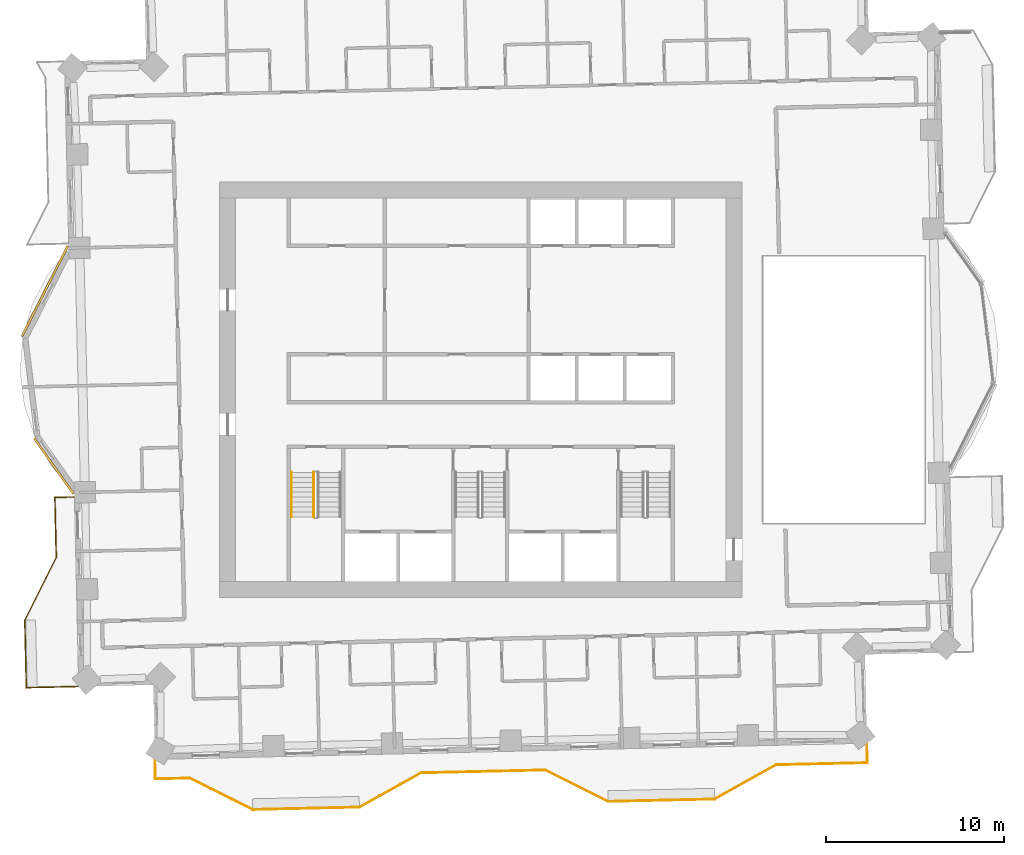
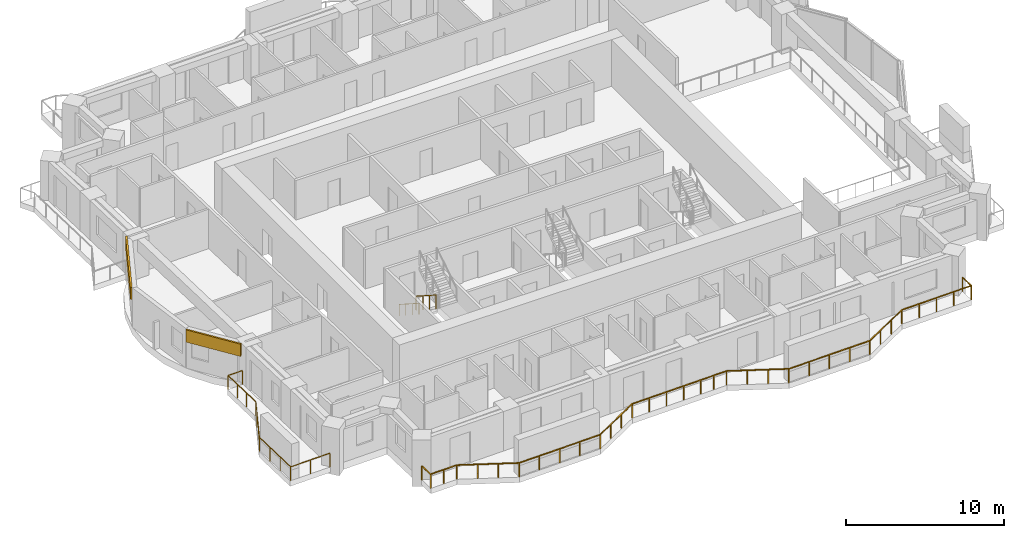
# One storey, part 13 of 16: 4 railings, 2 coverings.
"""IFC4 building model written with IfcOpenShell, lengths in metres."""

from ifc_helpers import new_model, si_unit, direction, frame, frame_2d, origin, origin_2d, place, context, subcontext, project, spatial, rectangle, circle, extrude, material, layer, layer_set, type_object, element, save


model = new_model("IFC4")

# Units and contexts
model_context = context("Model", 3, precision=1e-05, world=origin(), true_north=direction((0.0, 1.0)))
body_context = subcontext(model_context, "Body", "Model", "MODEL_VIEW")
ifc_project = project(units=[si_unit("LENGTHUNIT", "METRE"), si_unit("AREAUNIT", "SQUARE_METRE"), si_unit("VOLUMEUNIT", "CUBIC_METRE"), si_unit("PLANEANGLEUNIT", "RADIAN"), si_unit("MASSUNIT", "GRAM", prefix="KILO")], contexts=[model_context])

# Site, building, storey
site_placement = place(None, origin())
site = spatial("IfcSite", under=ifc_project, at=site_placement, CompositionType="ELEMENT")
building_placement = place(site_placement, origin())
building = spatial("IfcBuilding", under=site, at=building_placement, Name="Mangrove Gate Tower", CompositionType="ELEMENT")
storey_placement = place(building_placement, frame((0.0, 0.0, 178.89990234375)))
storey = spatial("IfcBuildingStorey", under=building, at=storey_placement, Name="L45", CompositionType="ELEMENT", Elevation=178.89990234375)

# Railings
ifc_material_1 = material(Name="Stainless steel grade 316 with laminated glass infill", Category="steel")
railing_type_1 = type_object("IfcRailingType", Name="Balcony guard 1100", PredefinedType="GUARDRAIL", material=ifc_material_1)
railing_1_placement = place(storey_placement, frame((-22.912109375, -6.033935546875, 0.0)))
element("IfcRailing", 1, at=railing_1_placement, inside=storey, type_object=railing_type_1, Name="GUARD L45 W2", PredefinedType="GUARDRAIL", context=body_context, shape_type="SweptSolid", body=[
    extrude(rectangle(XDim=0.048095703125, YDim=0.048095703125, at=origin_2d()), frame((0.0, 0.0, 1.076171875), z_axis=(-0.999765634628, -0.021648921828, 0.0), x_axis=(0.021648921828, -0.999765634628, 0.0)), (0.0, 0.0, 1.0), 1.06005859375),
    extrude(rectangle(XDim=0.048095703125, YDim=0.048095703125, at=origin_2d()), frame((-1.059814453125, -0.02294921875, 1.076171875), z_axis=(0.02278713509, -0.999740339525, 0.0), x_axis=(0.999740339525, 0.02278713509, 0.0)), (0.0, 0.0, 1.0), 3.375),
    extrude(rectangle(XDim=0.048095703125, YDim=0.048095703125, at=origin_2d()), frame((-0.98291015625, -3.39697265625, 1.076171875), z_axis=(-0.447114919141, -0.894476522376, 0.0), x_axis=(0.894476522376, -0.447114919141, 0.0)), (0.0, 0.0, 1.0), 3.958740234375),
    extrude(rectangle(XDim=0.048095703125, YDim=0.048095703125, at=origin_2d()), frame((-2.7529296875, -6.93798828125, 1.076171875), z_axis=(0.022614868993, -0.999744251146, 0.0), x_axis=(0.999744251146, 0.022614868993, 0.0)), (0.0, 0.0, 1.0), 3.800048828125),
    extrude(rectangle(XDim=0.048095703125, YDim=0.048095703125, at=origin_2d()), frame((-2.6669921875, -10.737060546875, 1.076171875), z_axis=(0.999743392495, 0.022652795902, 0.0), x_axis=(-0.022652795902, 0.999743392495, 0.0)), (0.0, 0.0, 1.0), 2.909912109375),
    extrude(rectangle(XDim=0.0419921875, YDim=0.0419921875, at=origin_2d()), origin(), (0.0, 0.0, 1.0), 1.052001953125),
    extrude(rectangle(XDim=0.0419921875, YDim=0.0419921875, at=origin_2d()), frame((-1.059814453125, -0.02294921875, 0.0)), (0.0, 0.0, 1.0), 1.052001953125),
    extrude(rectangle(XDim=0.0419921875, YDim=0.0419921875, at=origin_2d()), frame((-1.0341796875, -1.147705078125, 0.0)), (0.0, 0.0, 1.0), 1.052001953125),
    extrude(rectangle(XDim=0.0419921875, YDim=0.0419921875, at=origin_2d()), frame((-1.008544921875, -2.272216796875, 0.0)), (0.0, 0.0, 1.0), 1.052001953125),
    extrude(rectangle(XDim=0.0419921875, YDim=0.0419921875, at=origin_2d()), frame((-0.98291015625, -3.39697265625, 0.0)), (0.0, 0.0, 1.0), 1.052001953125),
    extrude(rectangle(XDim=0.0419921875, YDim=0.0419921875, at=origin_2d()), frame((-1.572998046875, -4.577392578125, 0.0)), (0.0, 0.0, 1.0), 1.052001953125),
    extrude(rectangle(XDim=0.0419921875, YDim=0.0419921875, at=origin_2d()), frame((-2.162841796875, -5.757568359375, 0.0)), (0.0, 0.0, 1.0), 1.052001953125),
    extrude(rectangle(XDim=0.0419921875, YDim=0.0419921875, at=origin_2d()), frame((-2.7529296875, -6.93798828125, 0.0)), (0.0, 0.0, 1.0), 1.052001953125),
    extrude(rectangle(XDim=0.0419921875, YDim=0.0419921875, at=origin_2d()), frame((-2.724365234375, -8.204345703125, 0.0)), (0.0, 0.0, 1.0), 1.052001953125),
    extrude(rectangle(XDim=0.0419921875, YDim=0.0419921875, at=origin_2d()), frame((-2.695556640625, -9.470703125, 0.0)), (0.0, 0.0, 1.0), 1.052001953125),
    extrude(rectangle(XDim=0.0419921875, YDim=0.0419921875, at=origin_2d()), frame((-2.6669921875, -10.737060546875, 0.0)), (0.0, 0.0, 1.0), 1.052001953125),
    extrude(rectangle(XDim=0.0419921875, YDim=0.0419921875, at=origin_2d()), frame((-1.21240234375, -10.7041015625, 0.0)), (0.0, 0.0, 1.0), 1.052001953125),
    extrude(rectangle(XDim=0.0419921875, YDim=0.0419921875, at=origin_2d()), frame((0.2421875, -10.671142578125, 0.0)), (0.0, 0.0, 1.0), 1.052001953125),
])
railing_2_placement = place(storey_placement, frame((-18.3349609375, -20.847900390625, 0.0)))
element("IfcRailing", 2, at=railing_2_placement, inside=storey, type_object=railing_type_1, Name="GUARD L45 S1", PredefinedType="GUARDRAIL", context=body_context, shape_type="SweptSolid", body=[
    extrude(rectangle(XDim=0.048095703125, YDim=0.048095703125, at=origin_2d()), frame((0.0, 0.0, 1.076171875), z_axis=(0.022564497502, -0.999745389313, 0.0), x_axis=(0.999745389313, 0.022564497502, 0.0)), (0.0, 0.0, 1.0), 1.060302734375),
    extrude(rectangle(XDim=0.048095703125, YDim=0.048095703125, at=origin_2d()), frame((0.02392578125, -1.06005859375, 1.076171875), z_axis=(0.999743521605, 0.022647097142, 0.0), x_axis=(-0.022647097142, 0.999743521605, 0.0)), (0.0, 0.0, 1.0), 1.9404296875),
    extrude(rectangle(XDim=0.048095703125, YDim=0.048095703125, at=origin_2d()), frame((1.9638671875, -1.01611328125, 1.076171875), z_axis=(0.894476522376, -0.447114919141, 0.0), x_axis=(0.447114919141, 0.894476522376, 0.0)), (0.0, 0.0, 1.0), 3.958740234375),
    extrude(rectangle(XDim=0.048095703125, YDim=0.048095703125, at=origin_2d()), frame((5.5048828125, -2.7861328125, 1.076171875), z_axis=(0.999743094499, 0.022665943652, 0.0), x_axis=(-0.022665943652, 0.999743094499, 0.0)), (0.0, 0.0, 1.0), 5.99951171875),
    extrude(rectangle(XDim=0.048095703125, YDim=0.048095703125, at=origin_2d()), frame((11.5029296875, -2.650146484375, 1.076171875), z_axis=(0.87325689943, 0.48726008209, 0.0), x_axis=(-0.48726008209, 0.87325689943, 0.0)), (0.0, 0.0, 1.0), 3.958740234375),
    extrude(rectangle(XDim=0.048095703125, YDim=0.048095703125, at=origin_2d()), frame((14.9599609375, -0.72119140625, 1.076171875), z_axis=(0.999740400278, 0.022784469527, 0.0), x_axis=(-0.022784469527, 0.999740400278, 0.0)), (0.0, 0.0, 1.0), 5.100341796875),
    extrude(rectangle(XDim=0.048095703125, YDim=0.048095703125, at=origin_2d()), frame((20.05908203125, -0.60498046875, 1.076171875), z_axis=(0.999744349692, 0.022610512149, 0.0), x_axis=(-0.022610512149, 0.999744349692, 0.0)), (0.0, 0.0, 1.0), 1.900390625),
    extrude(rectangle(XDim=0.048095703125, YDim=0.048095703125, at=origin_2d()), frame((21.958984375, -0.56201171875, 1.076171875), z_axis=(0.894476522376, -0.447114919141, 0.0), x_axis=(0.447114919141, 0.894476522376, 0.0)), (0.0, 0.0, 1.0), 3.958740234375),
    extrude(rectangle(XDim=0.048095703125, YDim=0.048095703125, at=origin_2d()), frame((25.5, -2.33203125, 1.076171875), z_axis=(0.999743094499, 0.022665943652, 0.0), x_axis=(-0.022665943652, 0.999743094499, 0.0)), (0.0, 0.0, 1.0), 5.99951171875),
    extrude(rectangle(XDim=0.048095703125, YDim=0.048095703125, at=origin_2d()), frame((31.498046875, -2.196044921875, 1.076171875), z_axis=(0.87325689943, 0.48726008209, 0.0), x_axis=(-0.48726008209, 0.87325689943, 0.0)), (0.0, 0.0, 1.0), 3.958740234375),
    extrude(rectangle(XDim=0.048095703125, YDim=0.048095703125, at=origin_2d()), frame((34.955078125, -0.26708984375, 1.076171875), z_axis=(0.999741173071, 0.022750535508, 0.0), x_axis=(-0.022750535508, 0.999741173071, 0.0)), (0.0, 0.0, 1.0), 5.14013671875),
    extrude(rectangle(XDim=0.048095703125, YDim=0.048095703125, at=origin_2d()), frame((40.093994140625, -0.150146484375, 1.076171875), z_axis=(-0.022585293253, 0.999744919731, 0.0), x_axis=(-0.999744919731, -0.022585293253, 0.0)), (0.0, 0.0, 1.0), 1.059326171875),
    extrude(rectangle(XDim=0.0419921875, YDim=0.0419921875, at=origin_2d()), origin(), (0.0, 0.0, 1.0), 1.052001953125),
    extrude(rectangle(XDim=0.0419921875, YDim=0.0419921875, at=origin_2d()), frame((0.02392578125, -1.06005859375, 0.0)), (0.0, 0.0, 1.0), 1.052001953125),
    extrude(rectangle(XDim=0.0419921875, YDim=0.0419921875, at=origin_2d()), frame((0.993896484375, -1.0380859375, 0.0)), (0.0, 0.0, 1.0), 1.052001953125),
    extrude(rectangle(XDim=0.0419921875, YDim=0.0419921875, at=origin_2d()), frame((1.9638671875, -1.01611328125, 0.0)), (0.0, 0.0, 1.0), 1.052001953125),
    extrude(rectangle(XDim=0.0419921875, YDim=0.0419921875, at=origin_2d()), frame((3.144287109375, -1.606201171875, 0.0)), (0.0, 0.0, 1.0), 1.052001953125),
    extrude(rectangle(XDim=0.0419921875, YDim=0.0419921875, at=origin_2d()), frame((4.324462890625, -2.196044921875, 0.0)), (0.0, 0.0, 1.0), 1.052001953125),
    extrude(rectangle(XDim=0.0419921875, YDim=0.0419921875, at=origin_2d()), frame((5.5048828125, -2.7861328125, 0.0)), (0.0, 0.0, 1.0), 1.052001953125),
    extrude(rectangle(XDim=0.0419921875, YDim=0.0419921875, at=origin_2d()), frame((7.00439453125, -2.752197265625, 0.0)), (0.0, 0.0, 1.0), 1.052001953125),
    extrude(rectangle(XDim=0.0419921875, YDim=0.0419921875, at=origin_2d()), frame((8.50390625, -2.71826171875, 0.0)), (0.0, 0.0, 1.0), 1.052001953125),
    extrude(rectangle(XDim=0.0419921875, YDim=0.0419921875, at=origin_2d()), frame((10.00341796875, -2.68408203125, 0.0)), (0.0, 0.0, 1.0), 1.052001953125),
    extrude(rectangle(XDim=0.0419921875, YDim=0.0419921875, at=origin_2d()), frame((11.5029296875, -2.650146484375, 0.0)), (0.0, 0.0, 1.0), 1.052001953125),
    extrude(rectangle(XDim=0.0419921875, YDim=0.0419921875, at=origin_2d()), frame((12.6552734375, -2.007080078125, 0.0)), (0.0, 0.0, 1.0), 1.052001953125),
    extrude(rectangle(XDim=0.0419921875, YDim=0.0419921875, at=origin_2d()), frame((13.8076171875, -1.3642578125, 0.0)), (0.0, 0.0, 1.0), 1.052001953125),
    extrude(rectangle(XDim=0.0419921875, YDim=0.0419921875, at=origin_2d()), frame((14.9599609375, -0.72119140625, 0.0)), (0.0, 0.0, 1.0), 1.052001953125),
    extrude(rectangle(XDim=0.0419921875, YDim=0.0419921875, at=origin_2d()), frame((16.23486328125, -0.692138671875, 0.0)), (0.0, 0.0, 1.0), 1.052001953125),
    extrude(rectangle(XDim=0.0419921875, YDim=0.0419921875, at=origin_2d()), frame((17.509521484375, -0.6630859375, 0.0)), (0.0, 0.0, 1.0), 1.052001953125),
    extrude(rectangle(XDim=0.0419921875, YDim=0.0419921875, at=origin_2d()), frame((18.7841796875, -0.634033203125, 0.0)), (0.0, 0.0, 1.0), 1.052001953125),
    extrude(rectangle(XDim=0.0419921875, YDim=0.0419921875, at=origin_2d()), frame((20.05908203125, -0.60498046875, 0.0)), (0.0, 0.0, 1.0), 1.052001953125),
    extrude(rectangle(XDim=0.0419921875, YDim=0.0419921875, at=origin_2d()), frame((21.009033203125, -0.58349609375, 0.0)), (0.0, 0.0, 1.0), 1.052001953125),
    extrude(rectangle(XDim=0.0419921875, YDim=0.0419921875, at=origin_2d()), frame((21.958984375, -0.56201171875, 0.0)), (0.0, 0.0, 1.0), 1.052001953125),
    extrude(rectangle(XDim=0.0419921875, YDim=0.0419921875, at=origin_2d()), frame((23.139404296875, -1.152099609375, 0.0)), (0.0, 0.0, 1.0), 1.052001953125),
    extrude(rectangle(XDim=0.0419921875, YDim=0.0419921875, at=origin_2d()), frame((24.319580078125, -1.741943359375, 0.0)), (0.0, 0.0, 1.0), 1.052001953125),
    extrude(rectangle(XDim=0.0419921875, YDim=0.0419921875, at=origin_2d()), frame((25.5, -2.33203125, 0.0)), (0.0, 0.0, 1.0), 1.052001953125),
    extrude(rectangle(XDim=0.0419921875, YDim=0.0419921875, at=origin_2d()), frame((26.99951171875, -2.298095703125, 0.0)), (0.0, 0.0, 1.0), 1.052001953125),
    extrude(rectangle(XDim=0.0419921875, YDim=0.0419921875, at=origin_2d()), frame((28.4990234375, -2.26416015625, 0.0)), (0.0, 0.0, 1.0), 1.052001953125),
    extrude(rectangle(XDim=0.0419921875, YDim=0.0419921875, at=origin_2d()), frame((29.99853515625, -2.22998046875, 0.0)), (0.0, 0.0, 1.0), 1.052001953125),
    extrude(rectangle(XDim=0.0419921875, YDim=0.0419921875, at=origin_2d()), frame((31.498046875, -2.196044921875, 0.0)), (0.0, 0.0, 1.0), 1.052001953125),
    extrude(rectangle(XDim=0.0419921875, YDim=0.0419921875, at=origin_2d()), frame((32.650390625, -1.552978515625, 0.0)), (0.0, 0.0, 1.0), 1.052001953125),
    extrude(rectangle(XDim=0.0419921875, YDim=0.0419921875, at=origin_2d()), frame((33.802734375, -0.91015625, 0.0)), (0.0, 0.0, 1.0), 1.052001953125),
    extrude(rectangle(XDim=0.0419921875, YDim=0.0419921875, at=origin_2d()), frame((34.955078125, -0.26708984375, 0.0)), (0.0, 0.0, 1.0), 1.052001953125),
    extrude(rectangle(XDim=0.0419921875, YDim=0.0419921875, at=origin_2d()), frame((36.23974609375, -0.23779296875, 0.0)), (0.0, 0.0, 1.0), 1.052001953125),
    extrude(rectangle(XDim=0.0419921875, YDim=0.0419921875, at=origin_2d()), frame((37.5244140625, -0.20849609375, 0.0)), (0.0, 0.0, 1.0), 1.052001953125),
    extrude(rectangle(XDim=0.0419921875, YDim=0.0419921875, at=origin_2d()), frame((38.809326171875, -0.179443359375, 0.0)), (0.0, 0.0, 1.0), 1.052001953125),
    extrude(rectangle(XDim=0.0419921875, YDim=0.0419921875, at=origin_2d()), frame((40.093994140625, -0.150146484375, 0.0)), (0.0, 0.0, 1.0), 1.052001953125),
    extrude(rectangle(XDim=0.0419921875, YDim=0.0419921875, at=origin_2d()), frame((40.070068359375, 0.908935546875, 0.0)), (0.0, 0.0, 1.0), 1.052001953125),
])
ifc_material_2 = material(Name="Stainless steel 316", Category="steel")
railing_type_2 = type_object("IfcRailingType", Name="Core stair guard 1100", PredefinedType="GUARDRAIL", material=ifc_material_2)
railing_3_placement = place(storey_placement, frame((-9.39990234375, -4.64990234375, 0.18017578125)))
element("IfcRailing", 3, at=railing_3_placement, inside=storey, type_object=railing_type_2, Name="L45 ST1 stair guard 1", PredefinedType="GUARDRAIL", context=body_context, shape_type="SweptSolid", body=[
    extrude(rectangle(XDim=0.048095703125, YDim=0.048095703125, at=origin_2d()), frame((0.0, 0.0, 1.076171875), z_axis=(0.0, -0.841199657755, 0.540724639528), x_axis=(1.0, 0.0, 0.0)), (0.0, 0.0, 1.0), 2.995849609375),
    extrude(rectangle(XDim=0.0419921875, YDim=0.0419921875, at=origin_2d()), origin(), (0.0, 0.0, 1.0), 1.052001953125),
    extrude(rectangle(XDim=0.0419921875, YDim=0.0419921875, at=origin_2d()), frame((0.0, -0.840087890625, 0.5400390625)), (0.0, 0.0, 1.0), 1.052001953125),
    extrude(rectangle(XDim=0.0419921875, YDim=0.0419921875, at=origin_2d()), frame((0.0, -1.679931640625, 1.079833984375)), (0.0, 0.0, 1.0), 1.052001953125),
    extrude(rectangle(XDim=0.0419921875, YDim=0.0419921875, at=origin_2d()), frame((0.0, -2.52001953125, 1.619873046875)), (0.0, 0.0, 1.0), 1.052001953125),
])
ifc_material_3 = material(Name="Stainless steel 316", Category="steel")
railing_type_3 = type_object("IfcRailingType", Name="Core stair handrail 900", PredefinedType="HANDRAIL", material=ifc_material_3)
railing_4_placement = place(storey_placement, frame((-10.64990234375, -4.64990234375, 0.18017578125)))
element("IfcRailing", 4, at=railing_4_placement, inside=storey, type_object=railing_type_3, Name="L45 ST1 stair handrail 1", PredefinedType="HANDRAIL", context=body_context, shape_type="SweptSolid", body=[
    extrude(circle(Radius=0.02392578125, at=origin_2d()), frame((0.0, 0.0, 0.8759765625), z_axis=(0.0, -0.841199657755, 0.540724639528), x_axis=(1.0, 0.0, 0.0)), (0.0, 0.0, 1.0), 2.995849609375),
    extrude(circle(Radius=0.02099609375, at=origin_2d()), origin(), (0.0, 0.0, 1.0), 0.851806640625),
    extrude(circle(Radius=0.02099609375, at=origin_2d()), frame((0.0, -0.840087890625, 0.5400390625)), (0.0, 0.0, 1.0), 0.851806640625),
    extrude(circle(Radius=0.02099609375, at=origin_2d()), frame((0.0, -1.679931640625, 1.079833984375)), (0.0, 0.0, 1.0), 0.851806640625),
    extrude(circle(Radius=0.02099609375, at=origin_2d()), frame((0.0, -2.52001953125, 1.619873046875)), (0.0, 0.0, 1.0), 0.851806640625),
])

# Coverings
ifc_material_4 = material(Name="Limestone", Category="masonry")
ifc_layer_1 = layer(ifc_material_4, 0.0400390625, Name="Limestone cladding")
ifc_material_5 = material(Name="Stainless steel anchors and cavity", Category="steel")
ifc_layer_2 = layer(ifc_material_5, 0.080078125, Name="Fixing cavity")
ifc_layer_set = layer_set([ifc_layer_1, ifc_layer_2], Name="Joint fascia cladding 120")
covering_type = type_object("IfcCoveringType", Name="Joint fascia cladding 120", PredefinedType="CLADDING", material=ifc_layer_set)
covering_1_placement = place(storey_placement, frame((-23.2421875, 8.08837890625, 2.10009765625), z_axis=(0.0, 0.0, 1.0), x_axis=(-0.452546311406, -0.891740901851, 0.0)))
element("IfcCovering", 5, at=covering_1_placement, inside=storey, type_object=covering_type, Name="STONE FASCIA L45 W9.L1", PredefinedType="CLADDING", context=body_context, shape_type="SweptSolid", body=[
    extrude(rectangle(XDim=5.705078125, YDim=0.1201171875, at=frame_2d((2.8525390625, 0.0))), origin(), (0.0, 0.0, 1.0), 0.949951171875),
])
covering_2_placement = place(storey_placement, frame((-25.1279296875, -2.7470703125, 2.10009765625), z_axis=(0.0, 0.0, 1.0), x_axis=(0.578168098379, -0.815917673553, 0.0)))
element("IfcCovering", 6, at=covering_2_placement, inside=storey, type_object=covering_type, Name="STONE FASCIA L45 W9.L2", PredefinedType="CLADDING", context=body_context, shape_type="SweptSolid", body=[
    extrude(rectangle(XDim=3.819091796875, YDim=0.1201171875, at=frame_2d((1.90966796875, 0.0))), origin(), (0.0, 0.0, 1.0), 0.949951171875),
])

save(model, "model.ifc")
